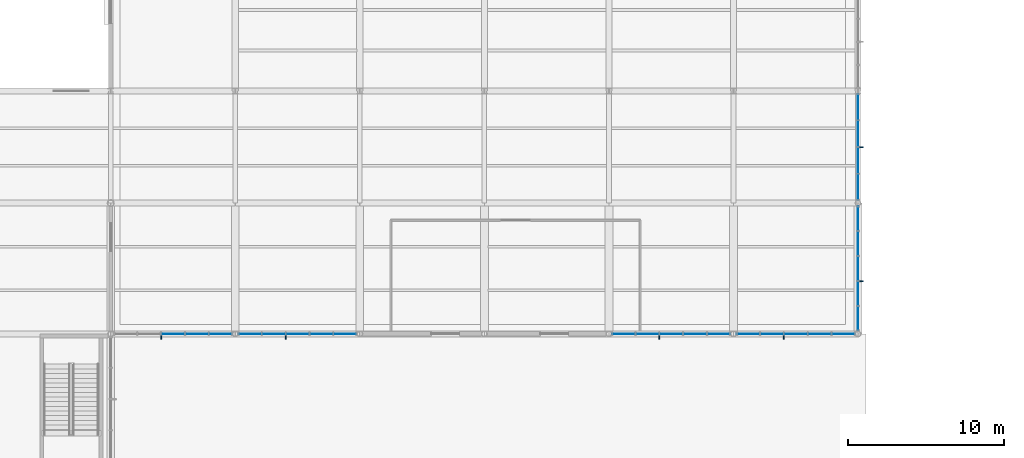
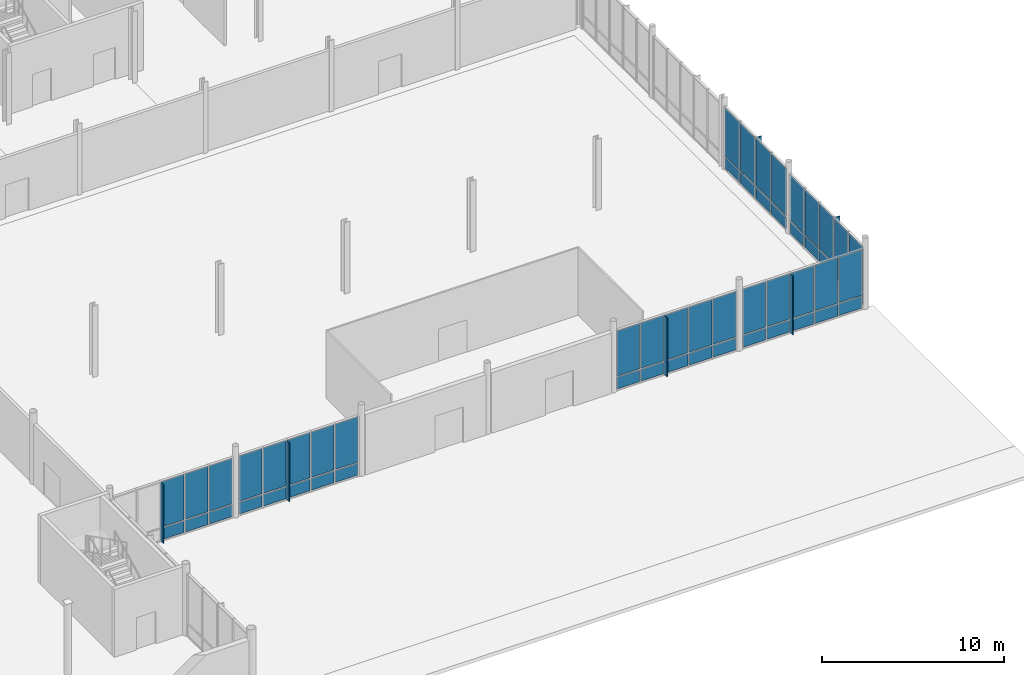
# One storey, part 42 of 82: 60 plates, 6 elements without a shape of their own.
"""IFC4 building model written with IfcOpenShell, lengths in metres."""

from ifc_helpers import new_model, si_unit, direction, frame, origin, origin_2d, place, context, subcontext, project, spatial, rectangle, extrude, material, layer, layer_set, type_object, element, aggregate, save


model = new_model("IFC4")

# Units and contexts
model_context = context("Model", 3, precision=1e-05, world=origin(), true_north=direction((0.0, 1.0)))
body_context = subcontext(model_context, "Body", "Model", "MODEL_VIEW")
ifc_project = project(units=[si_unit("LENGTHUNIT", "METRE"), si_unit("AREAUNIT", "SQUARE_METRE"), si_unit("VOLUMEUNIT", "CUBIC_METRE"), si_unit("PLANEANGLEUNIT", "RADIAN"), si_unit("MASSUNIT", "GRAM", prefix="KILO")], contexts=[model_context])

# Site, building, storey
site_placement = place(None, origin())
site = spatial("IfcSite", under=ifc_project, at=site_placement, CompositionType="ELEMENT")
building_placement = place(site_placement, origin())
building = spatial("IfcBuilding", under=site, at=building_placement, Name="Yukiwa Park Conservatory and Herbarium", CompositionType="ELEMENT")
storey_placement = place(building_placement, origin())
storey = spatial("IfcBuildingStorey", under=building, at=storey_placement, Name="L00", CompositionType="ELEMENT", Elevation=0.0)

# Curtain wall, plates
ifc_material_1 = material(Name="Triple Low-E Insulated Glass", Category="glass")
ifc_layer_1 = layer(ifc_material_1, 0.176025390625)
ifc_layer_set_1 = layer_set([ifc_layer_1], Name="Triple Low-E Insulated Glass")
curtain_wall_type = type_object("IfcCurtainWallType", Name="CW-CONCOURSE-1600", PredefinedType="NOTDEFINED", material=ifc_layer_set_1)
curtain_wall_1_placement = place(storey_placement, origin())
curtain_wall_1 = element("IfcCurtainWall", 1, at=curtain_wall_1_placement, inside=storey, type_object=curtain_wall_type, Name="L00 unitised curtain wall CW-L00-007", PredefinedType="NOTDEFINED")
ifc_material_2 = material(Name="Triple Low-E Insulated Glass", Category="glass")
ifc_layer_2 = layer(ifc_material_2, 0.035888671875)
ifc_layer_set_2 = layer_set([ifc_layer_2], Name="Triple Low-E Insulated Glass")
plate_type_1 = type_object("IfcPlateType", Name="PL-CW-GLZ-36", PredefinedType="CURTAIN_PANEL", material=ifc_layer_set_2)
plate_1_placement = place(storey_placement, frame((64.0, 15.60009765625, 0.93994140625), z_axis=(0.0, 0.0, 1.0), x_axis=(1.0, 0.0, 0.0)))
plate_1 = element("IfcPlate", 2, at=plate_1_placement, type_object=plate_type_1, Name="CW-L00-007 vision panel 3.2", PredefinedType="CURTAIN_PANEL", context=body_context, shape_type="SweptSolid", body=[
    extrude(rectangle(XDim=1.448974609375, YDim=0.035888671875, at=origin_2d()), origin(), (0.0, 0.0, 1.0), 3.0400390625),
])
plate_2_placement = place(storey_placement, frame((65.52880859375, 15.60009765625, 0.93994140625), z_axis=(0.0, 0.0, 1.0), x_axis=(1.0, 0.0, 0.0)))
plate_2 = element("IfcPlate", 3, at=plate_2_placement, type_object=plate_type_1, Name="CW-L00-007 vision panel 4.2", PredefinedType="CURTAIN_PANEL", context=body_context, shape_type="SweptSolid", body=[
    extrude(rectangle(XDim=1.448974609375, YDim=0.035888671875, at=origin_2d()), origin(), (0.0, 0.0, 1.0), 3.0400390625),
])
plate_3_placement = place(storey_placement, frame((67.057861328125, 15.60009765625, 0.93994140625), z_axis=(0.0, 0.0, 1.0), x_axis=(1.0, 0.0, 0.0)))
plate_3 = element("IfcPlate", 4, at=plate_3_placement, type_object=plate_type_1, Name="CW-L00-007 vision panel 5.2", PredefinedType="CURTAIN_PANEL", context=body_context, shape_type="SweptSolid", body=[
    extrude(rectangle(XDim=1.448974609375, YDim=0.035888671875, at=origin_2d()), origin(), (0.0, 0.0, 1.0), 3.0400390625),
])

curtain_wall_2_placement = place(storey_placement, origin())
curtain_wall_2 = element("IfcCurtainWall", 5, at=curtain_wall_2_placement, inside=storey, type_object=curtain_wall_type, Name="L00 unitised curtain wall CW-L00-008", PredefinedType="NOTDEFINED")
plate_4_placement = place(storey_placement, frame((68.942138671875, 15.60009765625, 0.93994140625), z_axis=(0.0, 0.0, 1.0), x_axis=(1.0, 0.0, 0.0)))
plate_4 = element("IfcPlate", 6, at=plate_4_placement, type_object=plate_type_1, Name="CW-L00-008 vision panel 1.2", PredefinedType="CURTAIN_PANEL", context=body_context, shape_type="SweptSolid", body=[
    extrude(rectangle(XDim=1.448974609375, YDim=0.035888671875, at=origin_2d()), origin(), (0.0, 0.0, 1.0), 3.0400390625),
])
plate_5_placement = place(storey_placement, frame((70.47119140625, 15.60009765625, 0.93994140625), z_axis=(0.0, 0.0, 1.0), x_axis=(1.0, 0.0, 0.0)))
plate_5 = element("IfcPlate", 7, at=plate_5_placement, type_object=plate_type_1, Name="CW-L00-008 vision panel 2.2", PredefinedType="CURTAIN_PANEL", context=body_context, shape_type="SweptSolid", body=[
    extrude(rectangle(XDim=1.448974609375, YDim=0.035888671875, at=origin_2d()), origin(), (0.0, 0.0, 1.0), 3.0400390625),
])
plate_6_placement = place(storey_placement, frame((72.0, 15.60009765625, 0.93994140625), z_axis=(0.0, 0.0, 1.0), x_axis=(1.0, 0.0, 0.0)))
plate_6 = element("IfcPlate", 8, at=plate_6_placement, type_object=plate_type_1, Name="CW-L00-008 vision panel 3.2", PredefinedType="CURTAIN_PANEL", context=body_context, shape_type="SweptSolid", body=[
    extrude(rectangle(XDim=1.448974609375, YDim=0.035888671875, at=origin_2d()), origin(), (0.0, 0.0, 1.0), 3.0400390625),
])
plate_7_placement = place(storey_placement, frame((73.52880859375, 15.60009765625, 0.93994140625), z_axis=(0.0, 0.0, 1.0), x_axis=(1.0, 0.0, 0.0)))
plate_7 = element("IfcPlate", 9, at=plate_7_placement, type_object=plate_type_1, Name="CW-L00-008 vision panel 4.2", PredefinedType="CURTAIN_PANEL", context=body_context, shape_type="SweptSolid", body=[
    extrude(rectangle(XDim=1.448974609375, YDim=0.035888671875, at=origin_2d()), origin(), (0.0, 0.0, 1.0), 3.0400390625),
])
plate_8_placement = place(storey_placement, frame((75.057861328125, 15.60009765625, 0.93994140625), z_axis=(0.0, 0.0, 1.0), x_axis=(1.0, 0.0, 0.0)))
plate_8 = element("IfcPlate", 10, at=plate_8_placement, type_object=plate_type_1, Name="CW-L00-008 vision panel 5.2", PredefinedType="CURTAIN_PANEL", context=body_context, shape_type="SweptSolid", body=[
    extrude(rectangle(XDim=1.448974609375, YDim=0.035888671875, at=origin_2d()), origin(), (0.0, 0.0, 1.0), 3.0400390625),
])

curtain_wall_3_placement = place(storey_placement, origin())
curtain_wall_3 = element("IfcCurtainWall", 11, at=curtain_wall_3_placement, inside=storey, type_object=curtain_wall_type, Name="L00 unitised curtain wall CW-L00-009", PredefinedType="NOTDEFINED")
plate_9_placement = place(storey_placement, frame((92.942138671875, 15.60009765625, 0.93994140625), z_axis=(0.0, 0.0, 1.0), x_axis=(1.0, 0.0, 0.0)))
plate_9 = element("IfcPlate", 12, at=plate_9_placement, type_object=plate_type_1, Name="CW-L00-009 vision panel 1.2", PredefinedType="CURTAIN_PANEL", context=body_context, shape_type="SweptSolid", body=[
    extrude(rectangle(XDim=1.448974609375, YDim=0.035888671875, at=origin_2d()), origin(), (0.0, 0.0, 1.0), 3.0400390625),
])
plate_10_placement = place(storey_placement, frame((94.47119140625, 15.60009765625, 0.93994140625), z_axis=(0.0, 0.0, 1.0), x_axis=(1.0, 0.0, 0.0)))
plate_10 = element("IfcPlate", 13, at=plate_10_placement, type_object=plate_type_1, Name="CW-L00-009 vision panel 2.2", PredefinedType="CURTAIN_PANEL", context=body_context, shape_type="SweptSolid", body=[
    extrude(rectangle(XDim=1.448974609375, YDim=0.035888671875, at=origin_2d()), origin(), (0.0, 0.0, 1.0), 3.0400390625),
])
plate_11_placement = place(storey_placement, frame((96.0, 15.60009765625, 0.93994140625), z_axis=(0.0, 0.0, 1.0), x_axis=(1.0, 0.0, 0.0)))
plate_11 = element("IfcPlate", 14, at=plate_11_placement, type_object=plate_type_1, Name="CW-L00-009 vision panel 3.2", PredefinedType="CURTAIN_PANEL", context=body_context, shape_type="SweptSolid", body=[
    extrude(rectangle(XDim=1.448974609375, YDim=0.035888671875, at=origin_2d()), origin(), (0.0, 0.0, 1.0), 3.0400390625),
])
plate_12_placement = place(storey_placement, frame((97.52880859375, 15.60009765625, 0.93994140625), z_axis=(0.0, 0.0, 1.0), x_axis=(1.0, 0.0, 0.0)))
plate_12 = element("IfcPlate", 15, at=plate_12_placement, type_object=plate_type_1, Name="CW-L00-009 vision panel 4.2", PredefinedType="CURTAIN_PANEL", context=body_context, shape_type="SweptSolid", body=[
    extrude(rectangle(XDim=1.448974609375, YDim=0.035888671875, at=origin_2d()), origin(), (0.0, 0.0, 1.0), 3.0400390625),
])
plate_13_placement = place(storey_placement, frame((99.057861328125, 15.60009765625, 0.93994140625), z_axis=(0.0, 0.0, 1.0), x_axis=(1.0, 0.0, 0.0)))
plate_13 = element("IfcPlate", 16, at=plate_13_placement, type_object=plate_type_1, Name="CW-L00-009 vision panel 5.2", PredefinedType="CURTAIN_PANEL", context=body_context, shape_type="SweptSolid", body=[
    extrude(rectangle(XDim=1.448974609375, YDim=0.035888671875, at=origin_2d()), origin(), (0.0, 0.0, 1.0), 3.0400390625),
])

curtain_wall_4_placement = place(storey_placement, origin())
curtain_wall_4 = element("IfcCurtainWall", 17, at=curtain_wall_4_placement, inside=storey, type_object=curtain_wall_type, Name="L00 unitised curtain wall CW-L00-010", PredefinedType="NOTDEFINED")
plate_14_placement = place(storey_placement, frame((100.942138671875, 15.60009765625, 0.93994140625), z_axis=(0.0, 0.0, 1.0), x_axis=(1.0, 0.0, 0.0)))
plate_14 = element("IfcPlate", 18, at=plate_14_placement, type_object=plate_type_1, Name="CW-L00-010 vision panel 1.2", PredefinedType="CURTAIN_PANEL", context=body_context, shape_type="SweptSolid", body=[
    extrude(rectangle(XDim=1.448974609375, YDim=0.035888671875, at=origin_2d()), origin(), (0.0, 0.0, 1.0), 3.0400390625),
])
plate_15_placement = place(storey_placement, frame((102.47119140625, 15.60009765625, 0.93994140625), z_axis=(0.0, 0.0, 1.0), x_axis=(1.0, 0.0, 0.0)))
plate_15 = element("IfcPlate", 19, at=plate_15_placement, type_object=plate_type_1, Name="CW-L00-010 vision panel 2.2", PredefinedType="CURTAIN_PANEL", context=body_context, shape_type="SweptSolid", body=[
    extrude(rectangle(XDim=1.448974609375, YDim=0.035888671875, at=origin_2d()), origin(), (0.0, 0.0, 1.0), 3.0400390625),
])
plate_16_placement = place(storey_placement, frame((104.0, 15.60009765625, 0.93994140625), z_axis=(0.0, 0.0, 1.0), x_axis=(1.0, 0.0, 0.0)))
plate_16 = element("IfcPlate", 20, at=plate_16_placement, type_object=plate_type_1, Name="CW-L00-010 vision panel 3.2", PredefinedType="CURTAIN_PANEL", context=body_context, shape_type="SweptSolid", body=[
    extrude(rectangle(XDim=1.448974609375, YDim=0.035888671875, at=origin_2d()), origin(), (0.0, 0.0, 1.0), 3.0400390625),
])
plate_17_placement = place(storey_placement, frame((105.52880859375, 15.60009765625, 0.93994140625), z_axis=(0.0, 0.0, 1.0), x_axis=(1.0, 0.0, 0.0)))
plate_17 = element("IfcPlate", 21, at=plate_17_placement, type_object=plate_type_1, Name="CW-L00-010 vision panel 4.2", PredefinedType="CURTAIN_PANEL", context=body_context, shape_type="SweptSolid", body=[
    extrude(rectangle(XDim=1.448974609375, YDim=0.035888671875, at=origin_2d()), origin(), (0.0, 0.0, 1.0), 3.0400390625),
])
plate_18_placement = place(storey_placement, frame((107.057861328125, 15.60009765625, 0.93994140625), z_axis=(0.0, 0.0, 1.0), x_axis=(1.0, 0.0, 0.0)))
plate_18 = element("IfcPlate", 22, at=plate_18_placement, type_object=plate_type_1, Name="CW-L00-010 vision panel 5.2", PredefinedType="CURTAIN_PANEL", context=body_context, shape_type="SweptSolid", body=[
    extrude(rectangle(XDim=1.448974609375, YDim=0.035888671875, at=origin_2d()), origin(), (0.0, 0.0, 1.0), 3.0400390625),
])

curtain_wall_5_placement = place(storey_placement, origin())
curtain_wall_5 = element("IfcCurtainWall", 23, at=curtain_wall_5_placement, inside=storey, type_object=curtain_wall_type, Name="L00 unitised curtain wall CW-L00-011", PredefinedType="NOTDEFINED")
plate_19_placement = place(storey_placement, frame((108.0, 16.582275390625, 0.93994140625), z_axis=(0.0, 0.0, 1.0), x_axis=(0.0, 1.0, 0.0)))
plate_19 = element("IfcPlate", 24, at=plate_19_placement, type_object=plate_type_1, Name="CW-L00-011 vision panel 1.2", PredefinedType="CURTAIN_PANEL", context=body_context, shape_type="SweptSolid", body=[
    extrude(rectangle(XDim=1.52880859375, YDim=0.035888671875, at=origin_2d()), origin(), (0.0, 0.0, 1.0), 3.0400390625),
])
plate_20_placement = place(storey_placement, frame((108.0, 18.191162109375, 0.93994140625), z_axis=(0.0, 0.0, 1.0), x_axis=(0.0, 1.0, 0.0)))
plate_20 = element("IfcPlate", 25, at=plate_20_placement, type_object=plate_type_1, Name="CW-L00-011 vision panel 2.2", PredefinedType="CURTAIN_PANEL", context=body_context, shape_type="SweptSolid", body=[
    extrude(rectangle(XDim=1.52880859375, YDim=0.035888671875, at=origin_2d()), origin(), (0.0, 0.0, 1.0), 3.0400390625),
])
plate_21_placement = place(storey_placement, frame((108.0, 19.800048828125, 0.93994140625), z_axis=(0.0, 0.0, 1.0), x_axis=(0.0, 1.0, 0.0)))
plate_21 = element("IfcPlate", 26, at=plate_21_placement, type_object=plate_type_1, Name="CW-L00-011 vision panel 3.2", PredefinedType="CURTAIN_PANEL", context=body_context, shape_type="SweptSolid", body=[
    extrude(rectangle(XDim=1.52880859375, YDim=0.035888671875, at=origin_2d()), origin(), (0.0, 0.0, 1.0), 3.0400390625),
])
plate_22_placement = place(storey_placement, frame((108.0, 21.408935546875, 0.93994140625), z_axis=(0.0, 0.0, 1.0), x_axis=(0.0, 1.0, 0.0)))
plate_22 = element("IfcPlate", 27, at=plate_22_placement, type_object=plate_type_1, Name="CW-L00-011 vision panel 4.2", PredefinedType="CURTAIN_PANEL", context=body_context, shape_type="SweptSolid", body=[
    extrude(rectangle(XDim=1.52880859375, YDim=0.035888671875, at=origin_2d()), origin(), (0.0, 0.0, 1.0), 3.0400390625),
])
plate_23_placement = place(storey_placement, frame((108.0, 23.017822265625, 0.93994140625), z_axis=(0.0, 0.0, 1.0), x_axis=(0.0, 1.0, 0.0)))
plate_23 = element("IfcPlate", 28, at=plate_23_placement, type_object=plate_type_1, Name="CW-L00-011 vision panel 5.2", PredefinedType="CURTAIN_PANEL", context=body_context, shape_type="SweptSolid", body=[
    extrude(rectangle(XDim=1.52880859375, YDim=0.035888671875, at=origin_2d()), origin(), (0.0, 0.0, 1.0), 3.0400390625),
])

curtain_wall_6_placement = place(storey_placement, origin())
curtain_wall_6 = element("IfcCurtainWall", 29, at=curtain_wall_6_placement, inside=storey, type_object=curtain_wall_type, Name="L00 unitised curtain wall CW-L00-012", PredefinedType="NOTDEFINED")
plate_24_placement = place(storey_placement, frame((108.0, 25.03369140625, 0.93994140625), z_axis=(0.0, 0.0, 1.0), x_axis=(0.0, 1.0, 0.0)))
plate_24 = element("IfcPlate", 30, at=plate_24_placement, type_object=plate_type_1, Name="CW-L00-012 vision panel 1.2", PredefinedType="CURTAIN_PANEL", context=body_context, shape_type="SweptSolid", body=[
    extrude(rectangle(XDim=1.6318359375, YDim=0.035888671875, at=origin_2d()), origin(), (0.0, 0.0, 1.0), 3.199951171875),
])
plate_25_placement = place(storey_placement, frame((108.0, 26.74560546875, 0.93994140625), z_axis=(0.0, 0.0, 1.0), x_axis=(0.0, 1.0, 0.0)))
plate_25 = element("IfcPlate", 31, at=plate_25_placement, type_object=plate_type_1, Name="CW-L00-012 vision panel 2.2", PredefinedType="CURTAIN_PANEL", context=body_context, shape_type="SweptSolid", body=[
    extrude(rectangle(XDim=1.6318359375, YDim=0.035888671875, at=origin_2d()), origin(), (0.0, 0.0, 1.0), 3.199951171875),
])
plate_26_placement = place(storey_placement, frame((108.0, 28.457275390625, 0.93994140625), z_axis=(0.0, 0.0, 1.0), x_axis=(0.0, 1.0, 0.0)))
plate_26 = element("IfcPlate", 32, at=plate_26_placement, type_object=plate_type_1, Name="CW-L00-012 vision panel 3.2", PredefinedType="CURTAIN_PANEL", context=body_context, shape_type="SweptSolid", body=[
    extrude(rectangle(XDim=1.6318359375, YDim=0.035888671875, at=origin_2d()), origin(), (0.0, 0.0, 1.0), 3.199951171875),
])
plate_27_placement = place(storey_placement, frame((108.0, 30.169189453125, 0.93994140625), z_axis=(0.0, 0.0, 1.0), x_axis=(0.0, 1.0, 0.0)))
plate_27 = element("IfcPlate", 33, at=plate_27_placement, type_object=plate_type_1, Name="CW-L00-012 vision panel 4.2", PredefinedType="CURTAIN_PANEL", context=body_context, shape_type="SweptSolid", body=[
    extrude(rectangle(XDim=1.6318359375, YDim=0.035888671875, at=origin_2d()), origin(), (0.0, 0.0, 1.0), 3.199951171875),
])

# Plate
ifc_material_3 = material(Name="Anodised Aluminium", Category="aluminium")
ifc_layer_3 = layer(ifc_material_3, 0.044921875)
ifc_layer_set_3 = layer_set([ifc_layer_3], Name="Anodised Aluminium")
plate_type_2 = type_object("IfcPlateType", Name="PL-CW-SPN-45", PredefinedType="CURTAIN_PANEL", material=ifc_layer_set_3)
plate_28_placement = place(storey_placement, frame((64.0, 15.60009765625, 0.080078125), z_axis=(0.0, 0.0, 1.0), x_axis=(1.0, 0.0, 0.0)))
plate_28 = element("IfcPlate", 34, at=plate_28_placement, type_object=plate_type_2, Name="CW-L00-007 spandrel panel 3.1", PredefinedType="CURTAIN_PANEL", context=body_context, shape_type="SweptSolid", body=[
    extrude(rectangle(XDim=1.448974609375, YDim=0.044921875, at=origin_2d()), origin(), (0.0, 0.0, 1.0), 0.780029296875),
])

plate_29_placement = place(storey_placement, frame((65.52880859375, 15.60009765625, 0.080078125), z_axis=(0.0, 0.0, 1.0), x_axis=(1.0, 0.0, 0.0)))
plate_29 = element("IfcPlate", 35, at=plate_29_placement, type_object=plate_type_2, Name="CW-L00-007 spandrel panel 4.1", PredefinedType="CURTAIN_PANEL", context=body_context, shape_type="SweptSolid", body=[
    extrude(rectangle(XDim=1.448974609375, YDim=0.044921875, at=origin_2d()), origin(), (0.0, 0.0, 1.0), 0.780029296875),
])

plate_30_placement = place(storey_placement, frame((67.057861328125, 15.60009765625, 0.080078125), z_axis=(0.0, 0.0, 1.0), x_axis=(1.0, 0.0, 0.0)))
plate_30 = element("IfcPlate", 36, at=plate_30_placement, type_object=plate_type_2, Name="CW-L00-007 spandrel panel 5.1", PredefinedType="CURTAIN_PANEL", context=body_context, shape_type="SweptSolid", body=[
    extrude(rectangle(XDim=1.448974609375, YDim=0.044921875, at=origin_2d()), origin(), (0.0, 0.0, 1.0), 0.780029296875),
])

aggregate(curtain_wall_1, [plate_28, plate_1, plate_29, plate_2, plate_30, plate_3])

plate_31_placement = place(storey_placement, frame((68.942138671875, 15.60009765625, 0.080078125), z_axis=(0.0, 0.0, 1.0), x_axis=(1.0, 0.0, 0.0)))
plate_31 = element("IfcPlate", 37, at=plate_31_placement, type_object=plate_type_2, Name="CW-L00-008 spandrel panel 1.1", PredefinedType="CURTAIN_PANEL", context=body_context, shape_type="SweptSolid", body=[
    extrude(rectangle(XDim=1.448974609375, YDim=0.044921875, at=origin_2d()), origin(), (0.0, 0.0, 1.0), 0.780029296875),
])

plate_32_placement = place(storey_placement, frame((70.47119140625, 15.60009765625, 0.080078125), z_axis=(0.0, 0.0, 1.0), x_axis=(1.0, 0.0, 0.0)))
plate_32 = element("IfcPlate", 38, at=plate_32_placement, type_object=plate_type_2, Name="CW-L00-008 spandrel panel 2.1", PredefinedType="CURTAIN_PANEL", context=body_context, shape_type="SweptSolid", body=[
    extrude(rectangle(XDim=1.448974609375, YDim=0.044921875, at=origin_2d()), origin(), (0.0, 0.0, 1.0), 0.780029296875),
])

plate_33_placement = place(storey_placement, frame((72.0, 15.60009765625, 0.080078125), z_axis=(0.0, 0.0, 1.0), x_axis=(1.0, 0.0, 0.0)))
plate_33 = element("IfcPlate", 39, at=plate_33_placement, type_object=plate_type_2, Name="CW-L00-008 spandrel panel 3.1", PredefinedType="CURTAIN_PANEL", context=body_context, shape_type="SweptSolid", body=[
    extrude(rectangle(XDim=1.448974609375, YDim=0.044921875, at=origin_2d()), origin(), (0.0, 0.0, 1.0), 0.780029296875),
])

plate_34_placement = place(storey_placement, frame((73.52880859375, 15.60009765625, 0.080078125), z_axis=(0.0, 0.0, 1.0), x_axis=(1.0, 0.0, 0.0)))
plate_34 = element("IfcPlate", 40, at=plate_34_placement, type_object=plate_type_2, Name="CW-L00-008 spandrel panel 4.1", PredefinedType="CURTAIN_PANEL", context=body_context, shape_type="SweptSolid", body=[
    extrude(rectangle(XDim=1.448974609375, YDim=0.044921875, at=origin_2d()), origin(), (0.0, 0.0, 1.0), 0.780029296875),
])

plate_35_placement = place(storey_placement, frame((75.057861328125, 15.60009765625, 0.080078125), z_axis=(0.0, 0.0, 1.0), x_axis=(1.0, 0.0, 0.0)))
plate_35 = element("IfcPlate", 41, at=plate_35_placement, type_object=plate_type_2, Name="CW-L00-008 spandrel panel 5.1", PredefinedType="CURTAIN_PANEL", context=body_context, shape_type="SweptSolid", body=[
    extrude(rectangle(XDim=1.448974609375, YDim=0.044921875, at=origin_2d()), origin(), (0.0, 0.0, 1.0), 0.780029296875),
])

aggregate(curtain_wall_2, [plate_31, plate_4, plate_32, plate_5, plate_33, plate_6, plate_34, plate_7, plate_35, plate_8])

plate_36_placement = place(storey_placement, frame((92.942138671875, 15.60009765625, 0.080078125), z_axis=(0.0, 0.0, 1.0), x_axis=(1.0, 0.0, 0.0)))
plate_36 = element("IfcPlate", 42, at=plate_36_placement, type_object=plate_type_2, Name="CW-L00-009 spandrel panel 1.1", PredefinedType="CURTAIN_PANEL", context=body_context, shape_type="SweptSolid", body=[
    extrude(rectangle(XDim=1.448974609375, YDim=0.044921875, at=origin_2d()), origin(), (0.0, 0.0, 1.0), 0.780029296875),
])

plate_37_placement = place(storey_placement, frame((94.47119140625, 15.60009765625, 0.080078125), z_axis=(0.0, 0.0, 1.0), x_axis=(1.0, 0.0, 0.0)))
plate_37 = element("IfcPlate", 43, at=plate_37_placement, type_object=plate_type_2, Name="CW-L00-009 spandrel panel 2.1", PredefinedType="CURTAIN_PANEL", context=body_context, shape_type="SweptSolid", body=[
    extrude(rectangle(XDim=1.448974609375, YDim=0.044921875, at=origin_2d()), origin(), (0.0, 0.0, 1.0), 0.780029296875),
])

plate_38_placement = place(storey_placement, frame((96.0, 15.60009765625, 0.080078125), z_axis=(0.0, 0.0, 1.0), x_axis=(1.0, 0.0, 0.0)))
plate_38 = element("IfcPlate", 44, at=plate_38_placement, type_object=plate_type_2, Name="CW-L00-009 spandrel panel 3.1", PredefinedType="CURTAIN_PANEL", context=body_context, shape_type="SweptSolid", body=[
    extrude(rectangle(XDim=1.448974609375, YDim=0.044921875, at=origin_2d()), origin(), (0.0, 0.0, 1.0), 0.780029296875),
])

plate_39_placement = place(storey_placement, frame((97.52880859375, 15.60009765625, 0.080078125), z_axis=(0.0, 0.0, 1.0), x_axis=(1.0, 0.0, 0.0)))
plate_39 = element("IfcPlate", 45, at=plate_39_placement, type_object=plate_type_2, Name="CW-L00-009 spandrel panel 4.1", PredefinedType="CURTAIN_PANEL", context=body_context, shape_type="SweptSolid", body=[
    extrude(rectangle(XDim=1.448974609375, YDim=0.044921875, at=origin_2d()), origin(), (0.0, 0.0, 1.0), 0.780029296875),
])

plate_40_placement = place(storey_placement, frame((99.057861328125, 15.60009765625, 0.080078125), z_axis=(0.0, 0.0, 1.0), x_axis=(1.0, 0.0, 0.0)))
plate_40 = element("IfcPlate", 46, at=plate_40_placement, type_object=plate_type_2, Name="CW-L00-009 spandrel panel 5.1", PredefinedType="CURTAIN_PANEL", context=body_context, shape_type="SweptSolid", body=[
    extrude(rectangle(XDim=1.448974609375, YDim=0.044921875, at=origin_2d()), origin(), (0.0, 0.0, 1.0), 0.780029296875),
])

aggregate(curtain_wall_3, [plate_36, plate_9, plate_37, plate_10, plate_38, plate_11, plate_39, plate_12, plate_40, plate_13])

plate_41_placement = place(storey_placement, frame((100.942138671875, 15.60009765625, 0.080078125), z_axis=(0.0, 0.0, 1.0), x_axis=(1.0, 0.0, 0.0)))
plate_41 = element("IfcPlate", 47, at=plate_41_placement, type_object=plate_type_2, Name="CW-L00-010 spandrel panel 1.1", PredefinedType="CURTAIN_PANEL", context=body_context, shape_type="SweptSolid", body=[
    extrude(rectangle(XDim=1.448974609375, YDim=0.044921875, at=origin_2d()), origin(), (0.0, 0.0, 1.0), 0.780029296875),
])

plate_42_placement = place(storey_placement, frame((102.47119140625, 15.60009765625, 0.080078125), z_axis=(0.0, 0.0, 1.0), x_axis=(1.0, 0.0, 0.0)))
plate_42 = element("IfcPlate", 48, at=plate_42_placement, type_object=plate_type_2, Name="CW-L00-010 spandrel panel 2.1", PredefinedType="CURTAIN_PANEL", context=body_context, shape_type="SweptSolid", body=[
    extrude(rectangle(XDim=1.448974609375, YDim=0.044921875, at=origin_2d()), origin(), (0.0, 0.0, 1.0), 0.780029296875),
])

plate_43_placement = place(storey_placement, frame((104.0, 15.60009765625, 0.080078125), z_axis=(0.0, 0.0, 1.0), x_axis=(1.0, 0.0, 0.0)))
plate_43 = element("IfcPlate", 49, at=plate_43_placement, type_object=plate_type_2, Name="CW-L00-010 spandrel panel 3.1", PredefinedType="CURTAIN_PANEL", context=body_context, shape_type="SweptSolid", body=[
    extrude(rectangle(XDim=1.448974609375, YDim=0.044921875, at=origin_2d()), origin(), (0.0, 0.0, 1.0), 0.780029296875),
])

plate_44_placement = place(storey_placement, frame((105.52880859375, 15.60009765625, 0.080078125), z_axis=(0.0, 0.0, 1.0), x_axis=(1.0, 0.0, 0.0)))
plate_44 = element("IfcPlate", 50, at=plate_44_placement, type_object=plate_type_2, Name="CW-L00-010 spandrel panel 4.1", PredefinedType="CURTAIN_PANEL", context=body_context, shape_type="SweptSolid", body=[
    extrude(rectangle(XDim=1.448974609375, YDim=0.044921875, at=origin_2d()), origin(), (0.0, 0.0, 1.0), 0.780029296875),
])

plate_45_placement = place(storey_placement, frame((107.057861328125, 15.60009765625, 0.080078125), z_axis=(0.0, 0.0, 1.0), x_axis=(1.0, 0.0, 0.0)))
plate_45 = element("IfcPlate", 51, at=plate_45_placement, type_object=plate_type_2, Name="CW-L00-010 spandrel panel 5.1", PredefinedType="CURTAIN_PANEL", context=body_context, shape_type="SweptSolid", body=[
    extrude(rectangle(XDim=1.448974609375, YDim=0.044921875, at=origin_2d()), origin(), (0.0, 0.0, 1.0), 0.780029296875),
])

aggregate(curtain_wall_4, [plate_41, plate_14, plate_42, plate_15, plate_43, plate_16, plate_44, plate_17, plate_45, plate_18])

plate_46_placement = place(storey_placement, frame((108.0, 16.582275390625, 0.080078125), z_axis=(0.0, 0.0, 1.0), x_axis=(0.0, 1.0, 0.0)))
plate_46 = element("IfcPlate", 52, at=plate_46_placement, type_object=plate_type_2, Name="CW-L00-011 spandrel panel 1.1", PredefinedType="CURTAIN_PANEL", context=body_context, shape_type="SweptSolid", body=[
    extrude(rectangle(XDim=1.52880859375, YDim=0.044921875, at=origin_2d()), origin(), (0.0, 0.0, 1.0), 0.780029296875),
])

plate_47_placement = place(storey_placement, frame((108.0, 18.191162109375, 0.080078125), z_axis=(0.0, 0.0, 1.0), x_axis=(0.0, 1.0, 0.0)))
plate_47 = element("IfcPlate", 53, at=plate_47_placement, type_object=plate_type_2, Name="CW-L00-011 spandrel panel 2.1", PredefinedType="CURTAIN_PANEL", context=body_context, shape_type="SweptSolid", body=[
    extrude(rectangle(XDim=1.52880859375, YDim=0.044921875, at=origin_2d()), origin(), (0.0, 0.0, 1.0), 0.780029296875),
])

plate_48_placement = place(storey_placement, frame((108.0, 19.800048828125, 0.080078125), z_axis=(0.0, 0.0, 1.0), x_axis=(0.0, 1.0, 0.0)))
plate_48 = element("IfcPlate", 54, at=plate_48_placement, type_object=plate_type_2, Name="CW-L00-011 spandrel panel 3.1", PredefinedType="CURTAIN_PANEL", context=body_context, shape_type="SweptSolid", body=[
    extrude(rectangle(XDim=1.52880859375, YDim=0.044921875, at=origin_2d()), origin(), (0.0, 0.0, 1.0), 0.780029296875),
])

plate_49_placement = place(storey_placement, frame((108.0, 21.408935546875, 0.080078125), z_axis=(0.0, 0.0, 1.0), x_axis=(0.0, 1.0, 0.0)))
plate_49 = element("IfcPlate", 55, at=plate_49_placement, type_object=plate_type_2, Name="CW-L00-011 spandrel panel 4.1", PredefinedType="CURTAIN_PANEL", context=body_context, shape_type="SweptSolid", body=[
    extrude(rectangle(XDim=1.52880859375, YDim=0.044921875, at=origin_2d()), origin(), (0.0, 0.0, 1.0), 0.780029296875),
])

plate_50_placement = place(storey_placement, frame((108.0, 23.017822265625, 0.080078125), z_axis=(0.0, 0.0, 1.0), x_axis=(0.0, 1.0, 0.0)))
plate_50 = element("IfcPlate", 56, at=plate_50_placement, type_object=plate_type_2, Name="CW-L00-011 spandrel panel 5.1", PredefinedType="CURTAIN_PANEL", context=body_context, shape_type="SweptSolid", body=[
    extrude(rectangle(XDim=1.52880859375, YDim=0.044921875, at=origin_2d()), origin(), (0.0, 0.0, 1.0), 0.780029296875),
])

aggregate(curtain_wall_5, [plate_46, plate_19, plate_47, plate_20, plate_48, plate_21, plate_49, plate_22, plate_50, plate_23])

plate_51_placement = place(storey_placement, frame((108.0, 25.03369140625, 0.080078125), z_axis=(0.0, 0.0, 1.0), x_axis=(0.0, 1.0, 0.0)))
plate_51 = element("IfcPlate", 57, at=plate_51_placement, type_object=plate_type_2, Name="CW-L00-012 spandrel panel 1.1", PredefinedType="CURTAIN_PANEL", context=body_context, shape_type="SweptSolid", body=[
    extrude(rectangle(XDim=1.6318359375, YDim=0.044921875, at=origin_2d()), origin(), (0.0, 0.0, 1.0), 0.780029296875),
])

plate_52_placement = place(storey_placement, frame((108.0, 26.74560546875, 0.080078125), z_axis=(0.0, 0.0, 1.0), x_axis=(0.0, 1.0, 0.0)))
plate_52 = element("IfcPlate", 58, at=plate_52_placement, type_object=plate_type_2, Name="CW-L00-012 spandrel panel 2.1", PredefinedType="CURTAIN_PANEL", context=body_context, shape_type="SweptSolid", body=[
    extrude(rectangle(XDim=1.6318359375, YDim=0.044921875, at=origin_2d()), origin(), (0.0, 0.0, 1.0), 0.780029296875),
])

plate_53_placement = place(storey_placement, frame((108.0, 28.457275390625, 0.080078125), z_axis=(0.0, 0.0, 1.0), x_axis=(0.0, 1.0, 0.0)))
plate_53 = element("IfcPlate", 59, at=plate_53_placement, type_object=plate_type_2, Name="CW-L00-012 spandrel panel 3.1", PredefinedType="CURTAIN_PANEL", context=body_context, shape_type="SweptSolid", body=[
    extrude(rectangle(XDim=1.6318359375, YDim=0.044921875, at=origin_2d()), origin(), (0.0, 0.0, 1.0), 0.780029296875),
])

plate_54_placement = place(storey_placement, frame((108.0, 30.169189453125, 0.080078125), z_axis=(0.0, 0.0, 1.0), x_axis=(0.0, 1.0, 0.0)))
plate_54 = element("IfcPlate", 60, at=plate_54_placement, type_object=plate_type_2, Name="CW-L00-012 spandrel panel 4.1", PredefinedType="CURTAIN_PANEL", context=body_context, shape_type="SweptSolid", body=[
    extrude(rectangle(XDim=1.6318359375, YDim=0.044921875, at=origin_2d()), origin(), (0.0, 0.0, 1.0), 0.780029296875),
])

aggregate(curtain_wall_6, [plate_51, plate_24, plate_52, plate_25, plate_53, plate_26, plate_54, plate_27])

# Plates
ifc_material_4 = material(Name="Charred Larch Cladding", Category="wood")
ifc_layer_4 = layer(ifc_material_4, 0.06494140625)
ifc_layer_set_4 = layer_set([ifc_layer_4], Name="Charred Larch Cladding")
plate_type_3 = type_object("IfcPlateType", Name="PL-FIN-LARCH-65", PredefinedType="USERDEFINED", material=ifc_layer_set_4)
for number, where, z_axis, x_axis, name in (
    (61, (63.235595703125, 15.39501953125, 0.06005859375), (0.0, 0.0, 1.0), (1.0, 0.0, 0.0), "CW-L00-007 exterior vertical shading fin"),
    (62, (71.235595703125, 15.39501953125, 0.06005859375), (0.0, 0.0, 1.0), (1.0, 0.0, 0.0), "CW-L00-008 exterior vertical shading fin"),
    (63, (95.235595703125, 15.39501953125, 0.06005859375), (0.0, 0.0, 1.0), (1.0, 0.0, 0.0), "CW-L00-009 exterior vertical shading fin"),
    (64, (103.235595703125, 15.39501953125, 0.06005859375), (0.0, 0.0, 1.0), (1.0, 0.0, 0.0), "CW-L00-010 exterior vertical shading fin"),
    (65, (108.205078125, 18.99560546875, 0.06005859375), (0.0, 0.0, 1.0), (0.0, 1.0, 0.0), "CW-L00-011 exterior vertical shading fin"),
):
    element("IfcPlate", number, at=place(storey_placement, frame(where, z_axis=z_axis, x_axis=x_axis)), inside=storey, type_object=plate_type_3, Name=name, ObjectType="SHADING FIN", PredefinedType="USERDEFINED", context=body_context, shape_type="SweptSolid", body=[
        extrude(rectangle(XDim=0.06494140625, YDim=0.280029296875, at=origin_2d()), origin(), (0.0, 0.0, 1.0), 3.93994140625),
    ])
plate_55_placement = place(storey_placement, frame((108.205078125, 27.601318359375, 0.06005859375), z_axis=(0.0, 0.0, 1.0), x_axis=(0.0, 1.0, 0.0)))
element("IfcPlate", 66, at=plate_55_placement, inside=storey, type_object=plate_type_3, Name="CW-L00-012 exterior vertical shading fin", ObjectType="SHADING FIN", PredefinedType="USERDEFINED", context=body_context, shape_type="SweptSolid", body=[
    extrude(rectangle(XDim=0.06494140625, YDim=0.280029296875, at=origin_2d()), origin(), (0.0, 0.0, 1.0), 4.10009765625),
])

save(model, "model.ifc")
